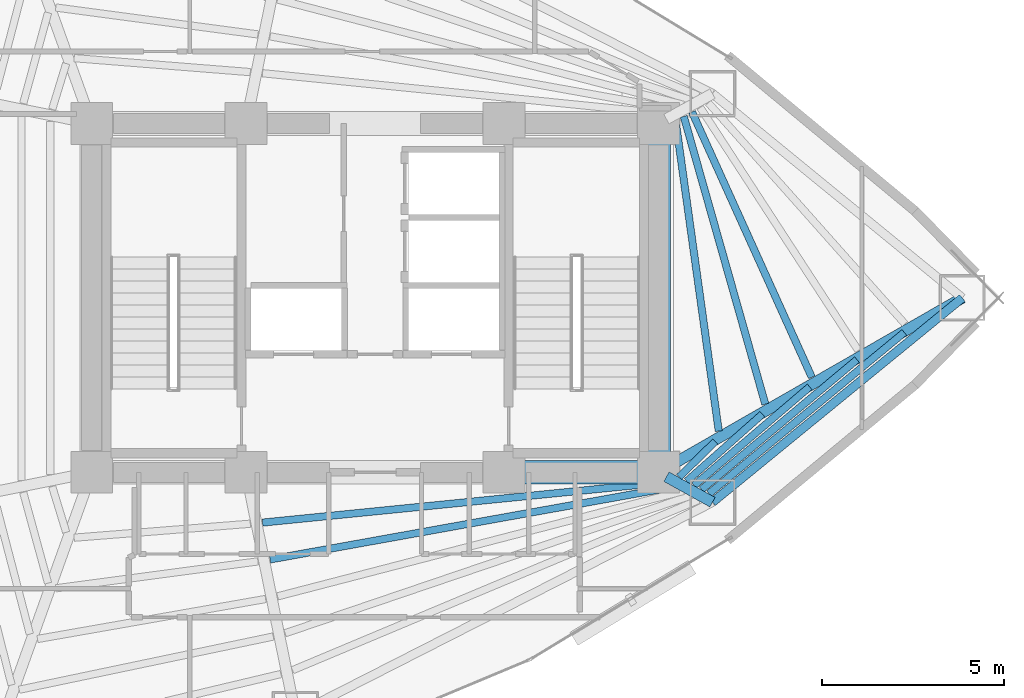
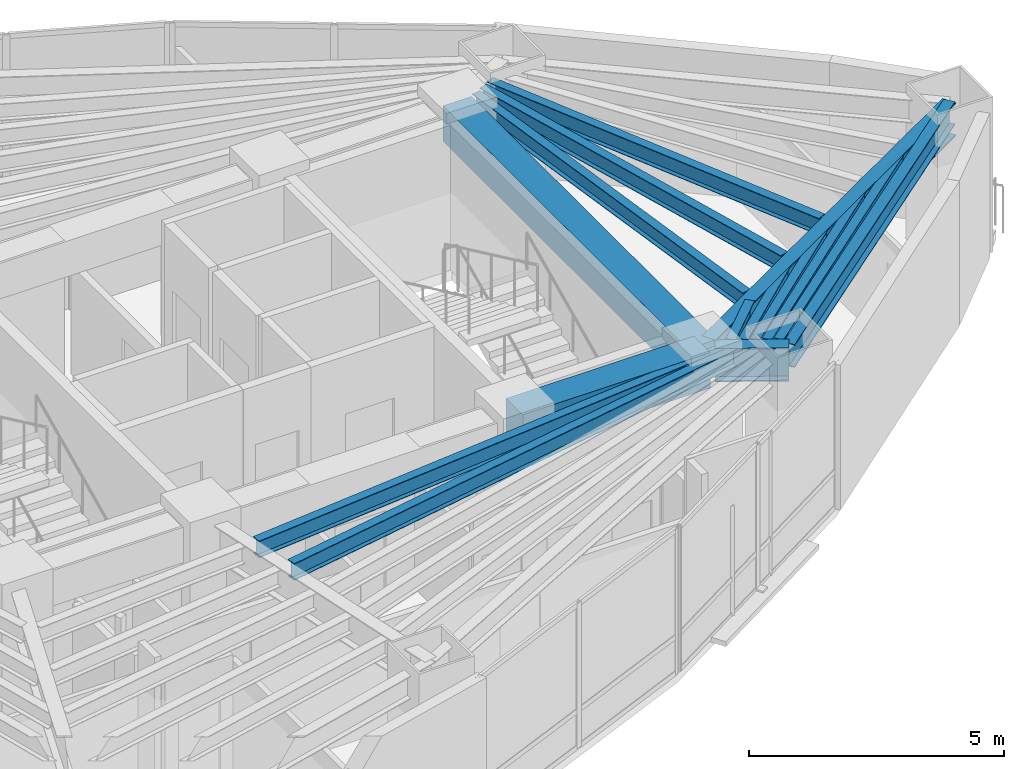
# One storey, part 6 of 18: 15 beams.
"""IFC4 building model written with IfcOpenShell, lengths in metres."""

from ifc_helpers import new_model, si_unit, direction, frame, origin, origin_2d, place, context, subcontext, project, spatial, rectangle, i_section, extrude, material, material_profile, profile_set, type_object, element, save


model = new_model("IFC4")

# Units and contexts
model_context = context("Model", 3, precision=1e-05, world=origin(), true_north=direction((0.0, 1.0)))
body_context = subcontext(model_context, "Body", "Model", "MODEL_VIEW")
ifc_project = project(units=[si_unit("LENGTHUNIT", "METRE"), si_unit("AREAUNIT", "SQUARE_METRE"), si_unit("VOLUMEUNIT", "CUBIC_METRE"), si_unit("PLANEANGLEUNIT", "RADIAN"), si_unit("MASSUNIT", "GRAM", prefix="KILO")], contexts=[model_context])

# Site, building, storey
site_placement = place(None, origin())
site = spatial("IfcSite", under=ifc_project, at=site_placement, CompositionType="ELEMENT")
building_placement = place(site_placement, origin())
building = spatial("IfcBuilding", under=site, at=building_placement, Name="Menara Vayukalpa", CompositionType="ELEMENT")
storey_placement = place(building_placement, frame((0.0, 0.0, 130.02001953125)))
storey = spatial("IfcBuildingStorey", under=building, at=storey_placement, Name="L32", CompositionType="ELEMENT", Elevation=130.02001953125)

# Beams
ifc_material_1 = material(Name="Concrete C60/75", Category="concrete")
ifc_material_profile_1 = material_profile(ifc_material_1, rectangle(XDim=0.64990234375, YDim=0.85009765625, at=origin_2d()), Name="RC 650x850")
ifc_profile_set_1 = profile_set([ifc_material_profile_1], Name="Concrete C60/75")
beam_type_1 = type_object("IfcBeamType", Name="BM-CB1", PredefinedType="BEAM", material=ifc_profile_set_1)
beam_1_placement = place(storey_placement, frame((29.14990234375, 17.199951171875, 3.044921875), z_axis=(1.0, 0.0, 0.0), x_axis=(0.0, 1.0, 0.0)))
element("IfcBeam", 1, at=beam_1_placement, inside=storey, type_object=beam_type_1, Name="L32 Core Tie Beam CBR3", PredefinedType="BEAM", context=body_context, shape_type="SweptSolid", body=[
    extrude(rectangle(XDim=0.64990234375, YDim=0.85009765625, at=origin_2d()), origin(), (0.0, 0.0, 1.0), 4.25),
])
beam_2_placement = place(storey_placement, frame((33.39990234375, 17.199951171875, 3.044921875), z_axis=(0.0, 1.0, 0.0), x_axis=(-1.0, 0.0, 0.0)))
element("IfcBeam", 2, at=beam_2_placement, inside=storey, type_object=beam_type_1, Name="L32 Core Tie Beam CBR8", PredefinedType="BEAM", context=body_context, shape_type="SweptSolid", body=[
    extrude(rectangle(XDim=0.64990234375, YDim=0.85009765625, at=origin_2d()), origin(), (0.0, 0.0, 1.0), 9.60009765625),
])
ifc_material_2 = material(Name="Steel S355", Category="steel")
ifc_material_profile_2 = material_profile(ifc_material_2, i_section(OverallWidth=0.300048828125, OverallDepth=0.800048828125, WebThickness=0.013916015625, FlangeThickness=0.02587890625, at=origin_2d()), Name="WF 800x300x14x26")
ifc_profile_set_2 = profile_set([ifc_material_profile_2], Name="Steel S355")
beam_type_2 = type_object("IfcBeamType", Name="BM-PG3", PredefinedType="BEAM", material=ifc_profile_set_2)
beam_3_placement = place(storey_placement, frame((33.61669921875, 17.324462890625, 3.070068359375), z_axis=(0.867273673572, 0.497831673488, 0.0), x_axis=(-0.497831673488, 0.867273673572, 0.0)))
element("IfcBeam", 3, at=beam_3_placement, inside=storey, type_object=beam_type_2, Name="L32 Primary Radial Girder RG01", PredefinedType="BEAM", context=body_context, shape_type="SweptSolid", body=[
    extrude(i_section(OverallWidth=0.300048828125, OverallDepth=0.800048828125, WebThickness=0.013916015625, FlangeThickness=0.02587890625, at=origin_2d()), origin(), (0.0, 0.0, 1.0), 9.391845703125),
])
beam_4_placement = place(storey_placement, frame((33.618896484375, 17.0791015625, 3.070068359375), z_axis=(0.875228391676, -0.48370989488, 0.0), x_axis=(0.48370989488, 0.875228391676, 0.0)))
element("IfcBeam", 4, at=beam_4_placement, inside=storey, type_object=beam_type_2, Name="L32 Primary Radial Girder RG09", PredefinedType="BEAM", context=body_context, shape_type="SweptSolid", body=[
    extrude(i_section(OverallWidth=0.300048828125, OverallDepth=0.800048828125, WebThickness=0.013916015625, FlangeThickness=0.02587890625, at=origin_2d()), origin(), (0.0, 0.0, 1.0), 1.448486328125),
])
ifc_material_3 = material(Name="Steel S355", Category="steel")
ifc_material_profile_3 = material_profile(ifc_material_3, i_section(OverallWidth=0.199951171875, OverallDepth=0.39990234375, WebThickness=0.008056640625, FlangeThickness=0.012939453125, at=origin_2d()), Name="WF 400x200x8x13")
ifc_profile_set_3 = profile_set([ifc_material_profile_3], Name="Steel S355")
beam_type_3 = type_object("IfcBeamType", Name="BM-SJ2", PredefinedType="JOIST", material=ifc_profile_set_3)
beam_5_placement = place(storey_placement, frame((35.0595703125, 18.33447265625, 3.27001953125), z_axis=(-0.137826740717, 0.990456354184, 0.0), x_axis=(-0.990456354184, -0.137826740717, 0.0)))
element("IfcBeam", 5, at=beam_5_placement, inside=storey, type_object=beam_type_3, Name="L32 Secondary Floor Joist SJ01-1", PredefinedType="JOIST", context=body_context, shape_type="SweptSolid", body=[
    extrude(i_section(OverallWidth=0.199951171875, OverallDepth=0.39990234375, WebThickness=0.008056640625, FlangeThickness=0.012939453125, at=origin_2d()), origin(), (0.0, 0.0, 1.0), 8.62646484375),
])
beam_6_placement = place(storey_placement, frame((36.33984375, 19.07763671875, 3.27001953125), z_axis=(-0.272628202831, 0.962119464007, 0.0), x_axis=(-0.962119464007, -0.272628202831, 0.0)))
element("IfcBeam", 6, at=beam_6_placement, inside=storey, type_object=beam_type_3, Name="L32 Secondary Floor Joist SJ01-2", PredefinedType="JOIST", context=body_context, shape_type="SweptSolid", body=[
    extrude(i_section(OverallWidth=0.199951171875, OverallDepth=0.39990234375, WebThickness=0.008056640625, FlangeThickness=0.012939453125, at=origin_2d()), origin(), (0.0, 0.0, 1.0), 8.229736328125),
])
beam_7_placement = place(storey_placement, frame((37.619384765625, 19.817138671875, 3.27001953125), z_axis=(-0.411603873645, 0.911362853753, 0.0), x_axis=(-0.911362853753, -0.411603873645, 0.0)))
element("IfcBeam", 7, at=beam_7_placement, inside=storey, type_object=beam_type_3, Name="L32 Secondary Floor Joist SJ01-3", PredefinedType="JOIST", context=body_context, shape_type="SweptSolid", body=[
    extrude(i_section(OverallWidth=0.199951171875, OverallDepth=0.39990234375, WebThickness=0.008056640625, FlangeThickness=0.012939453125, at=origin_2d()), origin(), (0.0, 0.0, 1.0), 8.00927734375),
])
beam_8_placement = place(storey_placement, frame((22.50439453125, 15.81591796875, 3.27001953125), z_axis=(0.995012836574, 0.099746955103, 0.0), x_axis=(-0.099746955103, 0.995012836574, 0.0)))
element("IfcBeam", 8, at=beam_8_placement, inside=storey, type_object=beam_type_3, Name="L32 Secondary Floor Joist SJ08-1", PredefinedType="JOIST", context=body_context, shape_type="SweptSolid", body=[
    extrude(i_section(OverallWidth=0.199951171875, OverallDepth=0.39990234375, WebThickness=0.008056640625, FlangeThickness=0.012939453125, at=origin_2d()), origin(), (0.0, 0.0, 1.0), 11.2294921875),
])
beam_9_placement = place(storey_placement, frame((22.7119140625, 14.801513671875, 3.27001953125), z_axis=(0.984205443357, 0.177030068819, 0.0), x_axis=(-0.177030068819, 0.984205443357, 0.0)))
element("IfcBeam", 9, at=beam_9_placement, inside=storey, type_object=beam_type_3, Name="L32 Secondary Floor Joist SJ08-2", PredefinedType="JOIST", context=body_context, shape_type="SweptSolid", body=[
    extrude(i_section(OverallWidth=0.199951171875, OverallDepth=0.39990234375, WebThickness=0.008056640625, FlangeThickness=0.012939453125, at=origin_2d()), origin(), (0.0, 0.0, 1.0), 11.349853515625),
])
beam_10_placement = place(storey_placement, frame((33.968505859375, 17.072021484375, 3.27001953125), z_axis=(0.713567159094, 0.700586832208, 0.0), x_axis=(-0.700586832208, 0.713567159094, 0.0)))
element("IfcBeam", 10, at=beam_10_placement, inside=storey, type_object=beam_type_3, Name="L32 Secondary Floor Joist SJ09-1", PredefinedType="JOIST", context=body_context, shape_type="SweptSolid", body=[
    extrude(i_section(OverallWidth=0.199951171875, OverallDepth=0.39990234375, WebThickness=0.008056640625, FlangeThickness=0.012939453125, at=origin_2d()), origin(), (0.0, 0.0, 1.0), 1.391845703125),
])
beam_11_placement = place(storey_placement, frame((34.177001953125, 16.95361328125, 3.27001953125), z_axis=(0.747951028434, 0.663753914539, 0.0), x_axis=(-0.663753914539, 0.747951028434, 0.0)))
element("IfcBeam", 11, at=beam_11_placement, inside=storey, type_object=beam_type_3, Name="L32 Secondary Floor Joist SJ09-2", PredefinedType="JOIST", context=body_context, shape_type="SweptSolid", body=[
    extrude(i_section(OverallWidth=0.199951171875, OverallDepth=0.39990234375, WebThickness=0.008056640625, FlangeThickness=0.012939453125, at=origin_2d()), origin(), (0.0, 0.0, 1.0), 2.78369140625),
])
beam_12_placement = place(storey_placement, frame((34.382080078125, 16.839111328125, 3.27001953125), z_axis=(0.760566613353, 0.649259906858, 0.0), x_axis=(-0.649259906858, 0.760566613353, 0.0)))
element("IfcBeam", 12, at=beam_12_placement, inside=storey, type_object=beam_type_3, Name="L32 Secondary Floor Joist SJ09-3", PredefinedType="JOIST", context=body_context, shape_type="SweptSolid", body=[
    extrude(i_section(OverallWidth=0.199951171875, OverallDepth=0.39990234375, WebThickness=0.008056640625, FlangeThickness=0.012939453125, at=origin_2d()), origin(), (0.0, 0.0, 1.0), 4.178466796875),
])
beam_13_placement = place(storey_placement, frame((34.586181640625, 16.7255859375, 3.27001953125), z_axis=(0.767139570374, 0.64148022539, 0.0), x_axis=(-0.64148022539, 0.767139570374, 0.0)))
element("IfcBeam", 13, at=beam_13_placement, inside=storey, type_object=beam_type_3, Name="L32 Secondary Floor Joist SJ09-4", PredefinedType="JOIST", context=body_context, shape_type="SweptSolid", body=[
    extrude(i_section(OverallWidth=0.199951171875, OverallDepth=0.39990234375, WebThickness=0.008056640625, FlangeThickness=0.012939453125, at=origin_2d()), origin(), (0.0, 0.0, 1.0), 5.57421875),
])
beam_14_placement = place(storey_placement, frame((34.789794921875, 16.61279296875, 3.27001953125), z_axis=(0.771153144941, 0.636649689428, 0.0), x_axis=(-0.636649689428, 0.771153144941, 0.0)))
element("IfcBeam", 14, at=beam_14_placement, inside=storey, type_object=beam_type_3, Name="L32 Secondary Floor Joist SJ09-5", PredefinedType="JOIST", context=body_context, shape_type="SweptSolid", body=[
    extrude(i_section(OverallWidth=0.199951171875, OverallDepth=0.39990234375, WebThickness=0.008056640625, FlangeThickness=0.012939453125, at=origin_2d()), origin(), (0.0, 0.0, 1.0), 6.969970703125),
])
ifc_material_4 = material(Name="Steel S355", Category="steel")
ifc_material_profile_4 = material_profile(ifc_material_4, i_section(OverallWidth=0.239990234375, OverallDepth=0.550048828125, WebThickness=0.010986328125, FlangeThickness=0.01904296875, at=origin_2d()), Name="WF 550x240x11x19")
ifc_profile_set_4 = profile_set([ifc_material_profile_4], Name="Steel S355")
beam_type_4 = type_object("IfcBeamType", Name="BM-SP2", PredefinedType="SPANDREL", material=ifc_profile_set_4)
beam_15_placement = place(storey_placement, frame((34.88671875, 16.37841796875, 3.195068359375), z_axis=(0.774156906301, 0.632993747541, 0.0), x_axis=(-0.632993747541, 0.774156906301, 0.0)))
element("IfcBeam", 15, at=beam_15_placement, inside=storey, type_object=beam_type_4, Name="L32 Perimeter Spandrel Beam SP09", PredefinedType="SPANDREL", context=body_context, shape_type="SweptSolid", body=[
    extrude(i_section(OverallWidth=0.239990234375, OverallDepth=0.550048828125, WebThickness=0.010986328125, FlangeThickness=0.01904296875, at=origin_2d()), origin(), (0.0, 0.0, 1.0), 8.880859375),
])

save(model, "model.ifc")
